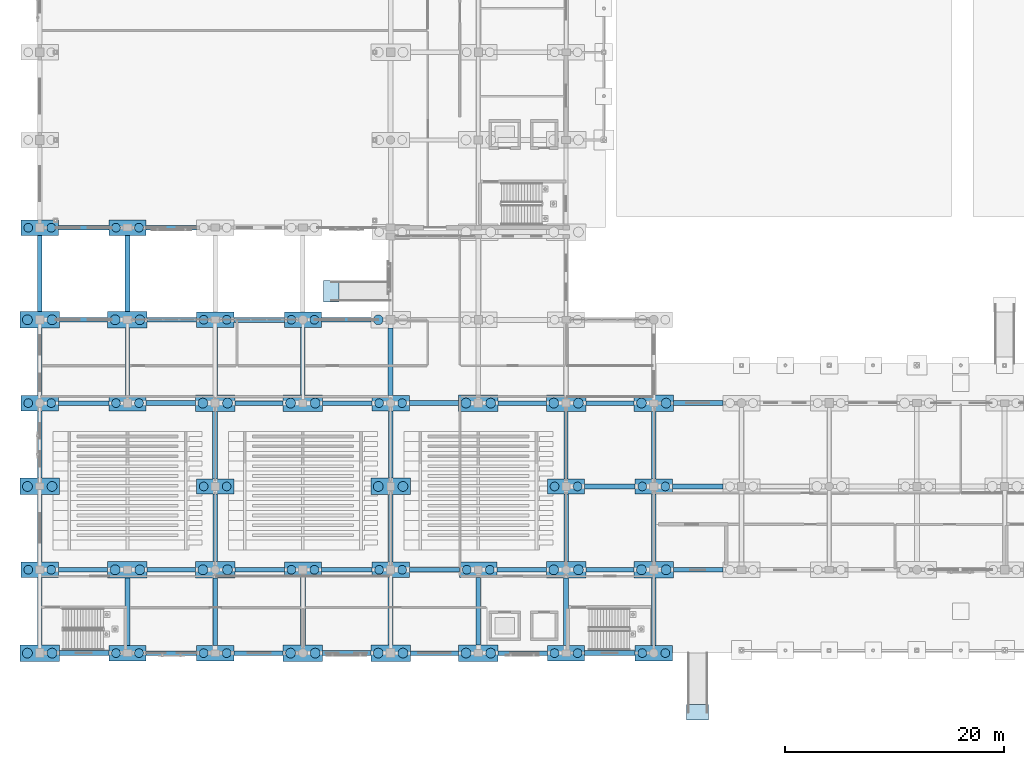
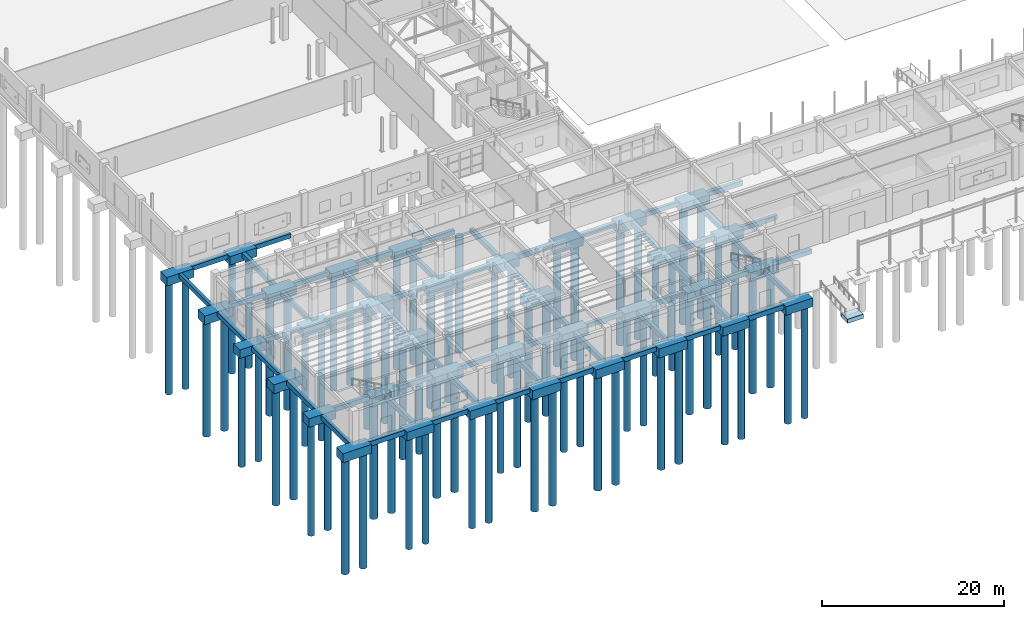
# One storey, part 1 of 166: 93 footings, 71 piles.
"""IFC4 building model written with IfcOpenShell, lengths in metres."""

from ifc_helpers import new_model, si_unit, direction, frame, origin, origin_2d, place, context, subcontext, project, spatial, rectangle, circle, extrude, material, material_profile, profile_set, type_object, element, save


model = new_model("IFC4")

# Units and contexts
model_context = context("Model", 3, precision=1e-05, world=origin(), true_north=direction((0.0, 1.0)))
body_context = subcontext(model_context, "Body", "Model", "MODEL_VIEW")
ifc_project = project(units=[si_unit("LENGTHUNIT", "METRE"), si_unit("AREAUNIT", "SQUARE_METRE"), si_unit("VOLUMEUNIT", "CUBIC_METRE"), si_unit("PLANEANGLEUNIT", "RADIAN"), si_unit("MASSUNIT", "GRAM", prefix="KILO")], contexts=[model_context])

# Site, building, storey
site_placement = place(None, origin())
site = spatial("IfcSite", under=ifc_project, at=site_placement, CompositionType="ELEMENT")
building_placement = place(site_placement, origin())
building = spatial("IfcBuilding", under=site, at=building_placement, Name="Kharva Crest Polytechnic", CompositionType="ELEMENT")
storey_placement = place(building_placement, origin())
storey = spatial("IfcBuildingStorey", under=building, at=storey_placement, Name="L00", CompositionType="ELEMENT", Elevation=0.0)

# Footings
ifc_material = material(Name="Concrete C35/45", Category="concrete")
footing_type_1 = type_object("IfcFootingType", Name="FTG-GB-400X600", PredefinedType="FOOTING_BEAM", material=ifc_material)
for number, where, z_axis, x_axis, name in (
    (1, (19.949951171875, 0.0, -1.005126953125), (0.0, 0.0, 1.0), (1.0, 0.0, 0.0), "L00 Ground Tie Beam A/3-4"),
    (2, (44.050048828125, 0.0, -1.005126953125), (0.0, 0.0, 1.0), (1.0, 0.0, 0.0), "L00 Ground Tie Beam A/6-7"),
):
    element("IfcFooting", number, at=place(storey_placement, frame(where, z_axis=z_axis, x_axis=x_axis)), inside=storey, type_object=footing_type_1, Name=name, PredefinedType="FOOTING_BEAM", context=body_context, shape_type="SweptSolid", body=[
        extrude(rectangle(XDim=4.5, YDim=0.39990234375, at=origin_2d()), origin(), (0.0, 0.0, 1.0), 0.60009765625),
    ])
footing_1_placement = place(storey_placement, frame((12.0, 7.60009765625, -1.005126953125), z_axis=(0.0, 0.0, 1.0), x_axis=(1.0, 0.0, 0.0)))
element("IfcFooting", 3, at=footing_1_placement, inside=storey, type_object=footing_type_1, Name="L00 Ground Tie Beam B/2-3", PredefinedType="FOOTING_BEAM", context=body_context, shape_type="SweptSolid", body=[
    extrude(rectangle(XDim=4.39990234375, YDim=0.39990234375, at=origin_2d()), origin(), (0.0, 0.0, 1.0), 0.60009765625),
])
footing_2_placement = place(storey_placement, frame((36.0, 7.60009765625, -1.005126953125), z_axis=(0.0, 0.0, 1.0), x_axis=(1.0, 0.0, 0.0)))
element("IfcFooting", 4, at=footing_2_placement, inside=storey, type_object=footing_type_1, Name="L00 Ground Tie Beam B/5-6", PredefinedType="FOOTING_BEAM", context=body_context, shape_type="SweptSolid", body=[
    extrude(rectangle(XDim=4.60009765625, YDim=0.39990234375, at=origin_2d()), origin(), (0.0, 0.0, 1.0), 0.60009765625),
])
footing_3_placement = place(storey_placement, frame((60.050048828125, 7.60009765625, -1.005126953125), z_axis=(0.0, 0.0, 1.0), x_axis=(1.0, 0.0, 0.0)))
element("IfcFooting", 5, at=footing_3_placement, inside=storey, type_object=footing_type_1, Name="L00 Ground Tie Beam B/8-9", PredefinedType="FOOTING_BEAM", context=body_context, shape_type="SweptSolid", body=[
    extrude(rectangle(XDim=4.5, YDim=0.39990234375, at=origin_2d()), origin(), (0.0, 0.0, 1.0), 0.60009765625),
])
footing_4_placement = place(storey_placement, frame((4.0, 22.800048828125, -1.005126953125), z_axis=(0.0, 0.0, 1.0), x_axis=(1.0, 0.0, 0.0)))
element("IfcFooting", 6, at=footing_4_placement, inside=storey, type_object=footing_type_1, Name="L00 Ground Tie Beam D/1-2", PredefinedType="FOOTING_BEAM", context=body_context, shape_type="SweptSolid", body=[
    extrude(rectangle(XDim=4.60009765625, YDim=0.39990234375, at=origin_2d()), origin(), (0.0, 0.0, 1.0), 0.60009765625),
])
footing_5_placement = place(storey_placement, frame((28.050048828125, 22.800048828125, -1.005126953125), z_axis=(0.0, 0.0, 1.0), x_axis=(1.0, 0.0, 0.0)))
element("IfcFooting", 7, at=footing_5_placement, inside=storey, type_object=footing_type_1, Name="L00 Ground Tie Beam D/4-5", PredefinedType="FOOTING_BEAM", context=body_context, shape_type="SweptSolid", body=[
    extrude(rectangle(XDim=4.5, YDim=0.39990234375, at=origin_2d()), origin(), (0.0, 0.0, 1.0), 0.60009765625),
])
footing_6_placement = place(storey_placement, frame((52.0, 22.800048828125, -1.005126953125), z_axis=(0.0, 0.0, 1.0), x_axis=(1.0, 0.0, 0.0)))
element("IfcFooting", 8, at=footing_6_placement, inside=storey, type_object=footing_type_1, Name="L00 Ground Tie Beam D/7-8", PredefinedType="FOOTING_BEAM", context=body_context, shape_type="SweptSolid", body=[
    extrude(rectangle(XDim=4.39990234375, YDim=0.39990234375, at=origin_2d()), origin(), (0.0, 0.0, 1.0), 0.60009765625),
])
footing_7_placement = place(storey_placement, frame((12.050048828125, 30.39990234375, -1.005126953125), z_axis=(0.0, 0.0, 1.0), x_axis=(1.0, 0.0, 0.0)))
element("IfcFooting", 9, at=footing_7_placement, inside=storey, type_object=footing_type_1, Name="L00 Ground Tie Beam E/2-3", PredefinedType="FOOTING_BEAM", context=body_context, shape_type="SweptSolid", body=[
    extrude(rectangle(XDim=4.5, YDim=0.39990234375, at=origin_2d()), origin(), (0.0, 0.0, 1.0), 0.60009765625),
])
footing_8_placement = place(storey_placement, frame((12.0, 38.800048828125, -1.005126953125), z_axis=(0.0, 0.0, 1.0), x_axis=(1.0, 0.0, 0.0)))
element("IfcFooting", 10, at=footing_8_placement, inside=storey, type_object=footing_type_1, Name="L00 Ground Tie Beam FJ/2-3", PredefinedType="FOOTING_BEAM", context=body_context, shape_type="SweptSolid", body=[
    extrude(rectangle(XDim=4.60009765625, YDim=0.39990234375, at=origin_2d()), origin(), (0.0, 0.0, 1.0), 0.60009765625),
])
footing_9_placement = place(storey_placement, frame((0.0, 11.375, -1.005126953125), z_axis=(0.0, 0.0, 1.0), x_axis=(0.0, 1.0, 0.0)))
element("IfcFooting", 11, at=footing_9_placement, inside=storey, type_object=footing_type_1, Name="L00 Ground Tie Beam 1/B-C", PredefinedType="FOOTING_BEAM", context=body_context, shape_type="SweptSolid", body=[
    extrude(rectangle(XDim=6.14990234375, YDim=0.39990234375, at=origin_2d()), origin(), (0.0, 0.0, 1.0), 0.60009765625),
])
footing_10_placement = place(storey_placement, frame((0.0, 34.625, -1.005126953125), z_axis=(0.0, 0.0, 1.0), x_axis=(0.0, 1.0, 0.0)))
element("IfcFooting", 12, at=footing_10_placement, inside=storey, type_object=footing_type_1, Name="L00 Ground Tie Beam 1/E-FJ", PredefinedType="FOOTING_BEAM", context=body_context, shape_type="SweptSolid", body=[
    extrude(rectangle(XDim=6.949951171875, YDim=0.39990234375, at=origin_2d()), origin(), (0.0, 0.0, 1.0), 0.60009765625),
])
for number, where, z_axis, x_axis, name in (
    (13, (8.0, 26.574951171875, -1.005126953125), (0.0, 0.0, 1.0), (0.0, 1.0, 0.0), "L00 Ground Tie Beam 2/D-E"),
    (14, (16.0, 11.425048828125, -1.005126953125), (0.0, 0.0, 1.0), (0.0, 1.0, 0.0), "L00 Ground Tie Beam 3/B-C"),
    (15, (32.0, 19.02490234375, -1.005126953125), (0.0, 0.0, 1.0), (0.0, 1.0, 0.0), "L00 Ground Tie Beam 5/C-D"),
    (16, (48.0, 18.97509765625, -1.005126953125), (0.0, 0.0, 1.0), (0.0, 1.0, 0.0), "L00 Ground Tie Beam 7/C-D"),
    (17, (56.0, 11.425048828125, -1.005126953125), (0.0, 0.0, 1.0), (0.0, 1.0, 0.0), "L00 Ground Tie Beam 8/B-C"),
):
    element("IfcFooting", number, at=place(storey_placement, frame(where, z_axis=z_axis, x_axis=x_axis)), inside=storey, type_object=footing_type_1, Name=name, PredefinedType="FOOTING_BEAM", context=body_context, shape_type="SweptSolid", body=[
        extrude(rectangle(XDim=6.14990234375, YDim=0.39990234375, at=origin_2d()), origin(), (0.0, 0.0, 1.0), 0.60009765625),
    ])
footing_type_2 = type_object("IfcFootingType", Name="FTG-GB-420X620", PredefinedType="FOOTING_BEAM", material=ifc_material)
footing_11_placement = place(storey_placement, frame((12.0, 0.0, -1.025146484375), z_axis=(0.0, 0.0, 1.0), x_axis=(1.0, 0.0, 0.0)))
element("IfcFooting", 18, at=footing_11_placement, inside=storey, type_object=footing_type_2, Name="L00 Ground Tie Beam A/2-3", PredefinedType="FOOTING_BEAM", context=body_context, shape_type="SweptSolid", body=[
    extrude(rectangle(XDim=4.60009765625, YDim=0.419921875, at=origin_2d()), origin(), (0.0, 0.0, 1.0), 0.6201171875),
])
footing_12_placement = place(storey_placement, frame((36.0, 0.0, -1.025146484375), z_axis=(0.0, 0.0, 1.0), x_axis=(1.0, 0.0, 0.0)))
element("IfcFooting", 19, at=footing_12_placement, inside=storey, type_object=footing_type_2, Name="L00 Ground Tie Beam A/5-6", PredefinedType="FOOTING_BEAM", context=body_context, shape_type="SweptSolid", body=[
    extrude(rectangle(XDim=4.39990234375, YDim=0.419921875, at=origin_2d()), origin(), (0.0, 0.0, 1.0), 0.6201171875),
])
footing_13_placement = place(storey_placement, frame((3.949951171875, 7.60009765625, -1.025146484375), z_axis=(0.0, 0.0, 1.0), x_axis=(1.0, 0.0, 0.0)))
element("IfcFooting", 20, at=footing_13_placement, inside=storey, type_object=footing_type_2, Name="L00 Ground Tie Beam B/1-2", PredefinedType="FOOTING_BEAM", context=body_context, shape_type="SweptSolid", body=[
    extrude(rectangle(XDim=4.5, YDim=0.419921875, at=origin_2d()), origin(), (0.0, 0.0, 1.0), 0.6201171875),
])
footing_14_placement = place(storey_placement, frame((28.0, 7.60009765625, -1.025146484375), z_axis=(0.0, 0.0, 1.0), x_axis=(1.0, 0.0, 0.0)))
element("IfcFooting", 21, at=footing_14_placement, inside=storey, type_object=footing_type_2, Name="L00 Ground Tie Beam B/4-5", PredefinedType="FOOTING_BEAM", context=body_context, shape_type="SweptSolid", body=[
    extrude(rectangle(XDim=4.60009765625, YDim=0.419921875, at=origin_2d()), origin(), (0.0, 0.0, 1.0), 0.6201171875),
])
footing_15_placement = place(storey_placement, frame((52.0, 7.60009765625, -1.025146484375), z_axis=(0.0, 0.0, 1.0), x_axis=(1.0, 0.0, 0.0)))
element("IfcFooting", 22, at=footing_15_placement, inside=storey, type_object=footing_type_2, Name="L00 Ground Tie Beam B/7-8", PredefinedType="FOOTING_BEAM", context=body_context, shape_type="SweptSolid", body=[
    extrude(rectangle(XDim=4.39990234375, YDim=0.419921875, at=origin_2d()), origin(), (0.0, 0.0, 1.0), 0.6201171875),
])
footing_16_placement = place(storey_placement, frame((60.0, 15.199951171875, -1.025146484375), z_axis=(0.0, 0.0, 1.0), x_axis=(1.0, 0.0, 0.0)))
element("IfcFooting", 23, at=footing_16_placement, inside=storey, type_object=footing_type_2, Name="L00 Ground Tie Beam C/8-9", PredefinedType="FOOTING_BEAM", context=body_context, shape_type="SweptSolid", body=[
    extrude(rectangle(XDim=4.60009765625, YDim=0.419921875, at=origin_2d()), origin(), (0.0, 0.0, 1.0), 0.6201171875),
])
for number, where, z_axis, x_axis, name in (
    (24, (20.0, 22.800048828125, -1.025146484375), (0.0, 0.0, 1.0), (1.0, 0.0, 0.0), "L00 Ground Tie Beam D/3-4"),
    (25, (44.0, 22.800048828125, -1.025146484375), (0.0, 0.0, 1.0), (1.0, 0.0, 0.0), "L00 Ground Tie Beam D/6-7"),
    (26, (4.0, 30.39990234375, -1.025146484375), (0.0, 0.0, 1.0), (1.0, 0.0, 0.0), "L00 Ground Tie Beam E/1-2"),
):
    element("IfcFooting", number, at=place(storey_placement, frame(where, z_axis=z_axis, x_axis=x_axis)), inside=storey, type_object=footing_type_2, Name=name, PredefinedType="FOOTING_BEAM", context=body_context, shape_type="SweptSolid", body=[
        extrude(rectangle(XDim=4.39990234375, YDim=0.419921875, at=origin_2d()), origin(), (0.0, 0.0, 1.0), 0.6201171875),
    ])
footing_17_placement = place(storey_placement, frame((27.949951171875, 30.39990234375, -1.025146484375), z_axis=(0.0, 0.0, 1.0), x_axis=(1.0, 0.0, 0.0)))
element("IfcFooting", 27, at=footing_17_placement, inside=storey, type_object=footing_type_2, Name="L00 Ground Tie Beam E/4-5", PredefinedType="FOOTING_BEAM", context=body_context, shape_type="SweptSolid", body=[
    extrude(rectangle(XDim=4.5, YDim=0.419921875, at=origin_2d()), origin(), (0.0, 0.0, 1.0), 0.6201171875),
])
footing_18_placement = place(storey_placement, frame((4.0, 38.800048828125, -1.025146484375), z_axis=(0.0, 0.0, 1.0), x_axis=(1.0, 0.0, 0.0)))
element("IfcFooting", 28, at=footing_18_placement, inside=storey, type_object=footing_type_2, Name="L00 Ground Tie Beam FJ/1-2", PredefinedType="FOOTING_BEAM", context=body_context, shape_type="SweptSolid", body=[
    extrude(rectangle(XDim=4.60009765625, YDim=0.419921875, at=origin_2d()), origin(), (0.0, 0.0, 1.0), 0.6201171875),
])
for number, where, z_axis, x_axis, name in (
    (29, (0.0, 3.824951171875, -1.025146484375), (0.0, 0.0, 1.0), (0.0, 1.0, 0.0), "L00 Ground Tie Beam 1/A-B"),
    (30, (0.0, 26.574951171875, -1.025146484375), (0.0, 0.0, 1.0), (0.0, 1.0, 0.0), "L00 Ground Tie Beam 1/D-E"),
    (31, (8.0, 3.77490234375, -1.025146484375), (0.0, 0.0, 1.0), (0.0, 1.0, 0.0), "L00 Ground Tie Beam 2/A-B"),
    (32, (16.0, 3.77490234375, -1.025146484375), (0.0, 0.0, 1.0), (0.0, 1.0, 0.0), "L00 Ground Tie Beam 3/A-B"),
    (33, (16.0, 26.625, -1.025146484375), (0.0, 0.0, 1.0), (0.0, 1.0, 0.0), "L00 Ground Tie Beam 3/D-E"),
    (34, (24.0, 26.625, -1.025146484375), (0.0, 0.0, 1.0), (0.0, 1.0, 0.0), "L00 Ground Tie Beam 4/D-E"),
    (35, (32.0, 11.375, -1.025146484375), (0.0, 0.0, 1.0), (0.0, 1.0, 0.0), "L00 Ground Tie Beam 5/B-C"),
    (36, (40.0, 3.824951171875, -1.025146484375), (0.0, 0.0, 1.0), (0.0, 1.0, 0.0), "L00 Ground Tie Beam 6/A-B"),
    (37, (48.0, 11.425048828125, -1.025146484375), (0.0, 0.0, 1.0), (0.0, 1.0, 0.0), "L00 Ground Tie Beam 7/B-C"),
    (38, (56.0, 3.77490234375, -1.025146484375), (0.0, 0.0, 1.0), (0.0, 1.0, 0.0), "L00 Ground Tie Beam 8/A-B"),
):
    element("IfcFooting", number, at=place(storey_placement, frame(where, z_axis=z_axis, x_axis=x_axis)), inside=storey, type_object=footing_type_2, Name=name, PredefinedType="FOOTING_BEAM", context=body_context, shape_type="SweptSolid", body=[
        extrude(rectangle(XDim=6.14990234375, YDim=0.419921875, at=origin_2d()), origin(), (0.0, 0.0, 1.0), 0.6201171875),
    ])
footing_type_3 = type_object("IfcFootingType", Name="FTG-GB-450X650", PredefinedType="FOOTING_BEAM", material=ifc_material)
footing_19_placement = place(storey_placement, frame((4.050048828125, 0.0, -1.054931640625), z_axis=(0.0, 0.0, 1.0), x_axis=(1.0, 0.0, 0.0)))
element("IfcFooting", 39, at=footing_19_placement, inside=storey, type_object=footing_type_3, Name="L00 Ground Tie Beam A/1-2", PredefinedType="FOOTING_BEAM", context=body_context, shape_type="SweptSolid", body=[
    extrude(rectangle(XDim=4.5, YDim=0.449951171875, at=origin_2d()), origin(), (0.0, 0.0, 1.0), 0.64990234375),
])
footing_20_placement = place(storey_placement, frame((28.0, 0.0, -1.054931640625), z_axis=(0.0, 0.0, 1.0), x_axis=(1.0, 0.0, 0.0)))
element("IfcFooting", 40, at=footing_20_placement, inside=storey, type_object=footing_type_3, Name="L00 Ground Tie Beam A/4-5", PredefinedType="FOOTING_BEAM", context=body_context, shape_type="SweptSolid", body=[
    extrude(rectangle(XDim=4.39990234375, YDim=0.449951171875, at=origin_2d()), origin(), (0.0, 0.0, 1.0), 0.64990234375),
])
footing_21_placement = place(storey_placement, frame((52.0, 0.0, -1.054931640625), z_axis=(0.0, 0.0, 1.0), x_axis=(1.0, 0.0, 0.0)))
element("IfcFooting", 41, at=footing_21_placement, inside=storey, type_object=footing_type_3, Name="L00 Ground Tie Beam A/7-8", PredefinedType="FOOTING_BEAM", context=body_context, shape_type="SweptSolid", body=[
    extrude(rectangle(XDim=4.60009765625, YDim=0.449951171875, at=origin_2d()), origin(), (0.0, 0.0, 1.0), 0.64990234375),
])
for number, where, z_axis, x_axis, name in (
    (42, (20.050048828125, 7.60009765625, -1.054931640625), (0.0, 0.0, 1.0), (1.0, 0.0, 0.0), "L00 Ground Tie Beam B/3-4"),
    (43, (43.949951171875, 7.60009765625, -1.054931640625), (0.0, 0.0, 1.0), (1.0, 0.0, 0.0), "L00 Ground Tie Beam B/6-7"),
):
    element("IfcFooting", number, at=place(storey_placement, frame(where, z_axis=z_axis, x_axis=x_axis)), inside=storey, type_object=footing_type_3, Name=name, PredefinedType="FOOTING_BEAM", context=body_context, shape_type="SweptSolid", body=[
        extrude(rectangle(XDim=4.5, YDim=0.449951171875, at=origin_2d()), origin(), (0.0, 0.0, 1.0), 0.64990234375),
    ])
footing_22_placement = place(storey_placement, frame((52.0, 15.199951171875, -1.054931640625), z_axis=(0.0, 0.0, 1.0), x_axis=(1.0, 0.0, 0.0)))
element("IfcFooting", 44, at=footing_22_placement, inside=storey, type_object=footing_type_3, Name="L00 Ground Tie Beam C/7-8", PredefinedType="FOOTING_BEAM", context=body_context, shape_type="SweptSolid", body=[
    extrude(rectangle(XDim=4.60009765625, YDim=0.449951171875, at=origin_2d()), origin(), (0.0, 0.0, 1.0), 0.64990234375),
])
for number, where, z_axis, x_axis, name in (
    (45, (11.949951171875, 22.800048828125, -1.054931640625), (0.0, 0.0, 1.0), (1.0, 0.0, 0.0), "L00 Ground Tie Beam D/2-3"),
    (46, (35.949951171875, 22.800048828125, -1.054931640625), (0.0, 0.0, 1.0), (1.0, 0.0, 0.0), "L00 Ground Tie Beam D/5-6"),
    (47, (60.050048828125, 22.800048828125, -1.054931640625), (0.0, 0.0, 1.0), (1.0, 0.0, 0.0), "L00 Ground Tie Beam D/8-9"),
):
    element("IfcFooting", number, at=place(storey_placement, frame(where, z_axis=z_axis, x_axis=x_axis)), inside=storey, type_object=footing_type_3, Name=name, PredefinedType="FOOTING_BEAM", context=body_context, shape_type="SweptSolid", body=[
        extrude(rectangle(XDim=4.5, YDim=0.449951171875, at=origin_2d()), origin(), (0.0, 0.0, 1.0), 0.64990234375),
    ])
footing_23_placement = place(storey_placement, frame((20.0, 30.39990234375, -1.054931640625), z_axis=(0.0, 0.0, 1.0), x_axis=(1.0, 0.0, 0.0)))
element("IfcFooting", 48, at=footing_23_placement, inside=storey, type_object=footing_type_3, Name="L00 Ground Tie Beam E/3-4", PredefinedType="FOOTING_BEAM", context=body_context, shape_type="SweptSolid", body=[
    extrude(rectangle(XDim=4.60009765625, YDim=0.449951171875, at=origin_2d()), origin(), (0.0, 0.0, 1.0), 0.64990234375),
])
footing_24_placement = place(storey_placement, frame((0.0, 19.02490234375, -1.054931640625), z_axis=(0.0, 0.0, 1.0), x_axis=(0.0, 1.0, 0.0)))
element("IfcFooting", 49, at=footing_24_placement, inside=storey, type_object=footing_type_3, Name="L00 Ground Tie Beam 1/C-D", PredefinedType="FOOTING_BEAM", context=body_context, shape_type="SweptSolid", body=[
    extrude(rectangle(XDim=6.14990234375, YDim=0.449951171875, at=origin_2d()), origin(), (0.0, 0.0, 1.0), 0.64990234375),
])
footing_25_placement = place(storey_placement, frame((8.0, 34.625, -1.054931640625), z_axis=(0.0, 0.0, 1.0), x_axis=(0.0, 1.0, 0.0)))
element("IfcFooting", 50, at=footing_25_placement, inside=storey, type_object=footing_type_3, Name="L00 Ground Tie Beam 2/E-FJ", PredefinedType="FOOTING_BEAM", context=body_context, shape_type="SweptSolid", body=[
    extrude(rectangle(XDim=6.949951171875, YDim=0.449951171875, at=origin_2d()), origin(), (0.0, 0.0, 1.0), 0.64990234375),
])
for number, where, z_axis, x_axis, name in (
    (51, (16.0, 18.97509765625, -1.054931640625), (0.0, 0.0, 1.0), (0.0, 1.0, 0.0), "L00 Ground Tie Beam 3/C-D"),
    (52, (24.0, 3.824951171875, -1.054931640625), (0.0, 0.0, 1.0), (0.0, 1.0, 0.0), "L00 Ground Tie Beam 4/A-B"),
    (53, (32.0, 3.824951171875, -1.054931640625), (0.0, 0.0, 1.0), (0.0, 1.0, 0.0), "L00 Ground Tie Beam 5/A-B"),
    (54, (32.0, 26.574951171875, -1.054931640625), (0.0, 0.0, 1.0), (0.0, 1.0, 0.0), "L00 Ground Tie Beam 5/D-E"),
    (55, (48.0, 3.77490234375, -1.054931640625), (0.0, 0.0, 1.0), (0.0, 1.0, 0.0), "L00 Ground Tie Beam 7/A-B"),
    (56, (56.0, 18.97509765625, -1.054931640625), (0.0, 0.0, 1.0), (0.0, 1.0, 0.0), "L00 Ground Tie Beam 8/C-D"),
):
    element("IfcFooting", number, at=place(storey_placement, frame(where, z_axis=z_axis, x_axis=x_axis)), inside=storey, type_object=footing_type_3, Name=name, PredefinedType="FOOTING_BEAM", context=body_context, shape_type="SweptSolid", body=[
        extrude(rectangle(XDim=6.14990234375, YDim=0.449951171875, at=origin_2d()), origin(), (0.0, 0.0, 1.0), 0.64990234375),
    ])
footing_type_4 = type_object("IfcFootingType", Name="FTG-PAD-2000X1400", PredefinedType="PAD_FOOTING", material=ifc_material)
for number, where, z_axis, x_axis, name in (
    (57, (60.0, -5.39990234375, -1.0), (0.0, 0.0, 1.0), (1.0, 0.0, 0.0), "L00 Ramp Toe Pad Footing RMP-S-W"),
    (58, (26.60009765625, 33.0, -1.0), (0.0, 0.0, 1.0), (0.0, 1.0, 0.0), "L00 Ramp Toe Pad Footing RMP-W-F"),
):
    element("IfcFooting", number, at=place(storey_placement, frame(where, z_axis=z_axis, x_axis=x_axis)), inside=storey, type_object=footing_type_4, Name=name, PredefinedType="PAD_FOOTING", context=body_context, shape_type="SweptSolid", body=[
        extrude(rectangle(XDim=2.0, YDim=1.39990234375, at=origin_2d()), origin(), (0.0, 0.0, 1.0), 0.550048828125),
    ])
footing_type_5 = type_object("IfcFootingType", Name="FTG-PC-3400X1400", PredefinedType="PILE_CAP", material=ifc_material)
for number, where, z_axis, x_axis, name in (
    (59, (0.0, 7.60009765625, -1.554931640625), (0.0, 0.0, 1.0), (1.0, 0.0, 0.0), "L00 Pile Cap 1/B"),
    (60, (0.0, 22.800048828125, -1.554931640625), (0.0, 0.0, 1.0), (1.0, 0.0, 0.0), "L00 Pile Cap 1/D"),
    (61, (0.0, 38.800048828125, -1.554931640625), (0.0, 0.0, 1.0), (1.0, 0.0, 0.0), "L00 Pile Cap 1/FJ"),
    (62, (8.0, 0.0, -1.554931640625), (0.0, 0.0, 1.0), (1.0, 0.0, 0.0), "L00 Pile Cap 2/A"),
    (63, (8.0, 22.800048828125, -1.554931640625), (0.0, 0.0, 1.0), (1.0, 0.0, 0.0), "L00 Pile Cap 2/D"),
    (64, (8.0, 38.800048828125, -1.554931640625), (0.0, 0.0, 1.0), (1.0, 0.0, 0.0), "L00 Pile Cap 2/FJ"),
    (65, (16.0, 0.0, -1.554931640625), (0.0, 0.0, 1.0), (1.0, 0.0, 0.0), "L00 Pile Cap 3/A"),
    (66, (16.0, 15.199951171875, -1.554931640625), (0.0, 0.0, 1.0), (1.0, 0.0, 0.0), "L00 Pile Cap 3/C"),
    (67, (16.0, 30.39990234375, -1.554931640625), (0.0, 0.0, 1.0), (1.0, 0.0, 0.0), "L00 Pile Cap 3/E"),
    (68, (24.0, 7.60009765625, -1.554931640625), (0.0, 0.0, 1.0), (1.0, 0.0, 0.0), "L00 Pile Cap 4/B"),
    (69, (24.0, 30.39990234375, -1.554931640625), (0.0, 0.0, 1.0), (1.0, 0.0, 0.0), "L00 Pile Cap 4/E"),
    (70, (32.0, 7.60009765625, -1.554931640625), (0.0, 0.0, 1.0), (1.0, 0.0, 0.0), "L00 Pile Cap 5/B"),
    (71, (32.0, 22.800048828125, -1.554931640625), (0.0, 0.0, 1.0), (1.0, 0.0, 0.0), "L00 Pile Cap 5/D"),
    (72, (40.0, 7.60009765625, -1.554931640625), (0.0, 0.0, 1.0), (1.0, 0.0, 0.0), "L00 Pile Cap 6/B"),
    (73, (48.0, 0.0, -1.554931640625), (0.0, 0.0, 1.0), (1.0, 0.0, 0.0), "L00 Pile Cap 7/A"),
    (74, (48.0, 15.199951171875, -1.554931640625), (0.0, 0.0, 1.0), (1.0, 0.0, 0.0), "L00 Pile Cap 7/C"),
    (75, (56.0, 0.0, -1.554931640625), (0.0, 0.0, 1.0), (1.0, 0.0, 0.0), "L00 Pile Cap 8/A"),
    (76, (56.0, 15.199951171875, -1.554931640625), (0.0, 0.0, 1.0), (1.0, 0.0, 0.0), "L00 Pile Cap 8/C"),
):
    element("IfcFooting", number, at=place(storey_placement, frame(where, z_axis=z_axis, x_axis=x_axis)), inside=storey, type_object=footing_type_5, Name=name, PredefinedType="PILE_CAP", context=body_context, shape_type="SweptSolid", body=[
        extrude(rectangle(XDim=3.39990234375, YDim=1.39990234375, at=origin_2d()), origin(), (0.0, 0.0, 1.0), 1.14990234375),
    ])
footing_type_6 = type_object("IfcFootingType", Name="FTG-PC-3600X1500", PredefinedType="PILE_CAP", material=ifc_material)
for number, where, z_axis, x_axis, name in (
    (77, (0.0, 0.0, -1.60498046875), (0.0, 0.0, 1.0), (1.0, 0.0, 0.0), "L00 Pile Cap 1/A"),
    (78, (0.0, 15.199951171875, -1.60498046875), (0.0, 0.0, 1.0), (1.0, 0.0, 0.0), "L00 Pile Cap 1/C"),
    (79, (0.0, 30.39990234375, -1.60498046875), (0.0, 0.0, 1.0), (1.0, 0.0, 0.0), "L00 Pile Cap 1/E"),
    (80, (8.0, 7.60009765625, -1.60498046875), (0.0, 0.0, 1.0), (1.0, 0.0, 0.0), "L00 Pile Cap 2/B"),
    (81, (8.0, 30.39990234375, -1.60498046875), (0.0, 0.0, 1.0), (1.0, 0.0, 0.0), "L00 Pile Cap 2/E"),
    (82, (16.0, 7.60009765625, -1.60498046875), (0.0, 0.0, 1.0), (1.0, 0.0, 0.0), "L00 Pile Cap 3/B"),
    (83, (16.0, 22.800048828125, -1.60498046875), (0.0, 0.0, 1.0), (1.0, 0.0, 0.0), "L00 Pile Cap 3/D"),
    (84, (24.0, 0.0, -1.60498046875), (0.0, 0.0, 1.0), (1.0, 0.0, 0.0), "L00 Pile Cap 4/A"),
    (85, (24.0, 22.800048828125, -1.60498046875), (0.0, 0.0, 1.0), (1.0, 0.0, 0.0), "L00 Pile Cap 4/D"),
    (86, (32.0, 0.0, -1.60498046875), (0.0, 0.0, 1.0), (1.0, 0.0, 0.0), "L00 Pile Cap 5/A"),
    (87, (32.0, 15.199951171875, -1.60498046875), (0.0, 0.0, 1.0), (1.0, 0.0, 0.0), "L00 Pile Cap 5/C"),
    (88, (40.0, 0.0, -1.60498046875), (0.0, 0.0, 1.0), (1.0, 0.0, 0.0), "L00 Pile Cap 6/A"),
    (89, (40.0, 22.800048828125, -1.60498046875), (0.0, 0.0, 1.0), (1.0, 0.0, 0.0), "L00 Pile Cap 6/D"),
    (90, (48.0, 7.60009765625, -1.60498046875), (0.0, 0.0, 1.0), (1.0, 0.0, 0.0), "L00 Pile Cap 7/B"),
    (91, (48.0, 22.800048828125, -1.60498046875), (0.0, 0.0, 1.0), (1.0, 0.0, 0.0), "L00 Pile Cap 7/D"),
    (92, (56.0, 7.60009765625, -1.60498046875), (0.0, 0.0, 1.0), (1.0, 0.0, 0.0), "L00 Pile Cap 8/B"),
    (93, (56.0, 22.800048828125, -1.60498046875), (0.0, 0.0, 1.0), (1.0, 0.0, 0.0), "L00 Pile Cap 8/D"),
):
    element("IfcFooting", number, at=place(storey_placement, frame(where, z_axis=z_axis, x_axis=x_axis)), inside=storey, type_object=footing_type_6, Name=name, PredefinedType="PILE_CAP", context=body_context, shape_type="SweptSolid", body=[
        extrude(rectangle(XDim=3.60009765625, YDim=1.5, at=origin_2d()), origin(), (0.0, 0.0, 1.0), 1.199951171875),
    ])

# Piles
ifc_material_profile_1 = material_profile(ifc_material, circle(Radius=0.39990234375, at=origin_2d()), Name="DIA 800")
ifc_profile_set_1 = profile_set([ifc_material_profile_1], Name="Concrete C35/45")
pile_type_1 = type_object("IfcPileType", Name="PILE-BORED-800", PredefinedType="BORED", material=ifc_profile_set_1)
for number, where, z_axis, x_axis, name in (
    (94, (-1.050048828125, 7.60009765625, -1.455078125), (0.0, 0.0, -1.0), (1.0, 0.0, 0.0), "L00 Bored Pile 1/B-1"),
    (95, (1.050048828125, 7.60009765625, -1.455078125), (0.0, 0.0, -1.0), (1.0, 0.0, 0.0), "L00 Bored Pile 1/B-2"),
    (96, (-1.050048828125, 22.800048828125, -1.455078125), (0.0, 0.0, -1.0), (1.0, 0.0, 0.0), "L00 Bored Pile 1/D-1"),
    (97, (1.050048828125, 22.800048828125, -1.455078125), (0.0, 0.0, -1.0), (1.0, 0.0, 0.0), "L00 Bored Pile 1/D-2"),
    (98, (-1.050048828125, 38.800048828125, -1.455078125), (0.0, 0.0, -1.0), (1.0, 0.0, 0.0), "L00 Bored Pile 1/FJ-1"),
    (99, (1.050048828125, 38.800048828125, -1.455078125), (0.0, 0.0, -1.0), (1.0, 0.0, 0.0), "L00 Bored Pile 1/FJ-2"),
    (100, (6.949951171875, 0.0, -1.455078125), (0.0, 0.0, -1.0), (1.0, 0.0, 0.0), "L00 Bored Pile 2/A-1"),
    (101, (9.050048828125, 0.0, -1.455078125), (0.0, 0.0, -1.0), (1.0, 0.0, 0.0), "L00 Bored Pile 2/A-2"),
    (102, (6.949951171875, 22.800048828125, -1.455078125), (0.0, 0.0, -1.0), (1.0, 0.0, 0.0), "L00 Bored Pile 2/D-1"),
    (103, (9.050048828125, 22.800048828125, -1.455078125), (0.0, 0.0, -1.0), (1.0, 0.0, 0.0), "L00 Bored Pile 2/D-2"),
    (104, (6.949951171875, 38.800048828125, -1.455078125), (0.0, 0.0, -1.0), (1.0, 0.0, 0.0), "L00 Bored Pile 2/FJ-1"),
    (105, (9.050048828125, 38.800048828125, -1.455078125), (0.0, 0.0, -1.0), (1.0, 0.0, 0.0), "L00 Bored Pile 2/FJ-2"),
    (106, (14.949951171875, 0.0, -1.455078125), (0.0, 0.0, -1.0), (1.0, 0.0, 0.0), "L00 Bored Pile 3/A-1"),
    (107, (17.050048828125, 0.0, -1.455078125), (0.0, 0.0, -1.0), (1.0, 0.0, 0.0), "L00 Bored Pile 3/A-2"),
    (108, (14.949951171875, 15.199951171875, -1.455078125), (0.0, 0.0, -1.0), (1.0, 0.0, 0.0), "L00 Bored Pile 3/C-1"),
    (109, (17.050048828125, 15.199951171875, -1.455078125), (0.0, 0.0, -1.0), (1.0, 0.0, 0.0), "L00 Bored Pile 3/C-2"),
    (110, (14.949951171875, 30.39990234375, -1.455078125), (0.0, 0.0, -1.0), (1.0, 0.0, 0.0), "L00 Bored Pile 3/E-1"),
    (111, (17.050048828125, 30.39990234375, -1.455078125), (0.0, 0.0, -1.0), (1.0, 0.0, 0.0), "L00 Bored Pile 3/E-2"),
    (112, (22.949951171875, 7.60009765625, -1.455078125), (0.0, 0.0, -1.0), (1.0, 0.0, 0.0), "L00 Bored Pile 4/B-1"),
    (113, (25.050048828125, 7.60009765625, -1.455078125), (0.0, 0.0, -1.0), (1.0, 0.0, 0.0), "L00 Bored Pile 4/B-2"),
    (114, (22.949951171875, 30.39990234375, -1.455078125), (0.0, 0.0, -1.0), (1.0, 0.0, 0.0), "L00 Bored Pile 4/E-1"),
    (115, (25.050048828125, 30.39990234375, -1.455078125), (0.0, 0.0, -1.0), (1.0, 0.0, 0.0), "L00 Bored Pile 4/E-2"),
    (116, (30.949951171875, 7.60009765625, -1.455078125), (0.0, 0.0, -1.0), (1.0, 0.0, 0.0), "L00 Bored Pile 5/B-1"),
    (117, (33.050048828125, 7.60009765625, -1.455078125), (0.0, 0.0, -1.0), (1.0, 0.0, 0.0), "L00 Bored Pile 5/B-2"),
    (118, (30.949951171875, 22.800048828125, -1.455078125), (0.0, 0.0, -1.0), (1.0, 0.0, 0.0), "L00 Bored Pile 5/D-1"),
    (119, (33.050048828125, 22.800048828125, -1.455078125), (0.0, 0.0, -1.0), (1.0, 0.0, 0.0), "L00 Bored Pile 5/D-2"),
    (120, (38.949951171875, 7.60009765625, -1.455078125), (0.0, 0.0, -1.0), (1.0, 0.0, 0.0), "L00 Bored Pile 6/B-1"),
    (121, (41.050048828125, 7.60009765625, -1.455078125), (0.0, 0.0, -1.0), (1.0, 0.0, 0.0), "L00 Bored Pile 6/B-2"),
    (122, (46.949951171875, 0.0, -1.455078125), (0.0, 0.0, -1.0), (1.0, 0.0, 0.0), "L00 Bored Pile 7/A-1"),
    (123, (49.050048828125, 0.0, -1.455078125), (0.0, 0.0, -1.0), (1.0, 0.0, 0.0), "L00 Bored Pile 7/A-2"),
    (124, (46.949951171875, 15.199951171875, -1.455078125), (0.0, 0.0, -1.0), (1.0, 0.0, 0.0), "L00 Bored Pile 7/C-1"),
    (125, (49.050048828125, 15.199951171875, -1.455078125), (0.0, 0.0, -1.0), (1.0, 0.0, 0.0), "L00 Bored Pile 7/C-2"),
    (126, (54.949951171875, 0.0, -1.455078125), (0.0, 0.0, -1.0), (1.0, 0.0, 0.0), "L00 Bored Pile 8/A-1"),
    (127, (57.050048828125, 0.0, -1.455078125), (0.0, 0.0, -1.0), (1.0, 0.0, 0.0), "L00 Bored Pile 8/A-2"),
    (128, (54.949951171875, 15.199951171875, -1.455078125), (0.0, 0.0, -1.0), (1.0, 0.0, 0.0), "L00 Bored Pile 8/C-1"),
    (129, (57.050048828125, 15.199951171875, -1.455078125), (0.0, 0.0, -1.0), (1.0, 0.0, 0.0), "L00 Bored Pile 8/C-2"),
):
    element("IfcPile", number, at=place(storey_placement, frame(where, z_axis=z_axis, x_axis=x_axis)), inside=storey, type_object=pile_type_1, Name=name, PredefinedType="BORED", context=body_context, shape_type="SweptSolid", body=[
        extrude(circle(Radius=0.39990234375, at=origin_2d()), origin(), (0.0, 0.0, 1.0), 15.044921875),
    ])
ifc_material_profile_2 = material_profile(ifc_material, circle(Radius=0.449951171875, at=origin_2d()), Name="DIA 900")
ifc_profile_set_2 = profile_set([ifc_material_profile_2], Name="Concrete C35/45")
pile_type_2 = type_object("IfcPileType", Name="PILE-BORED-900", PredefinedType="BORED", material=ifc_profile_set_2)
for number, where, z_axis, x_axis, name in (
    (130, (-1.125, 0.0, -1.5048828125), (0.0, 0.0, -1.0), (1.0, 0.0, 0.0), "L00 Bored Pile 1/A-1"),
    (131, (1.125, 0.0, -1.5048828125), (0.0, 0.0, -1.0), (1.0, 0.0, 0.0), "L00 Bored Pile 1/A-2"),
    (132, (-1.125, 15.199951171875, -1.5048828125), (0.0, 0.0, -1.0), (1.0, 0.0, 0.0), "L00 Bored Pile 1/C-1"),
    (133, (1.125, 15.199951171875, -1.5048828125), (0.0, 0.0, -1.0), (1.0, 0.0, 0.0), "L00 Bored Pile 1/C-2"),
    (134, (-1.125, 30.39990234375, -1.5048828125), (0.0, 0.0, -1.0), (1.0, 0.0, 0.0), "L00 Bored Pile 1/E-1"),
    (135, (1.125, 30.39990234375, -1.5048828125), (0.0, 0.0, -1.0), (1.0, 0.0, 0.0), "L00 Bored Pile 1/E-2"),
    (136, (6.875, 7.60009765625, -1.5048828125), (0.0, 0.0, -1.0), (1.0, 0.0, 0.0), "L00 Bored Pile 2/B-1"),
    (137, (9.125, 7.60009765625, -1.5048828125), (0.0, 0.0, -1.0), (1.0, 0.0, 0.0), "L00 Bored Pile 2/B-2"),
    (138, (6.875, 30.39990234375, -1.5048828125), (0.0, 0.0, -1.0), (1.0, 0.0, 0.0), "L00 Bored Pile 2/E-1"),
    (139, (9.125, 30.39990234375, -1.5048828125), (0.0, 0.0, -1.0), (1.0, 0.0, 0.0), "L00 Bored Pile 2/E-2"),
    (140, (14.875, 7.60009765625, -1.5048828125), (0.0, 0.0, -1.0), (1.0, 0.0, 0.0), "L00 Bored Pile 3/B-1"),
    (141, (17.125, 7.60009765625, -1.5048828125), (0.0, 0.0, -1.0), (1.0, 0.0, 0.0), "L00 Bored Pile 3/B-2"),
    (142, (14.875, 22.800048828125, -1.5048828125), (0.0, 0.0, -1.0), (1.0, 0.0, 0.0), "L00 Bored Pile 3/D-1"),
    (143, (17.125, 22.800048828125, -1.5048828125), (0.0, 0.0, -1.0), (1.0, 0.0, 0.0), "L00 Bored Pile 3/D-2"),
    (144, (22.875, 0.0, -1.5048828125), (0.0, 0.0, -1.0), (1.0, 0.0, 0.0), "L00 Bored Pile 4/A-1"),
    (145, (25.125, 0.0, -1.5048828125), (0.0, 0.0, -1.0), (1.0, 0.0, 0.0), "L00 Bored Pile 4/A-2"),
    (146, (22.875, 22.800048828125, -1.5048828125), (0.0, 0.0, -1.0), (1.0, 0.0, 0.0), "L00 Bored Pile 4/D-1"),
    (147, (25.125, 22.800048828125, -1.5048828125), (0.0, 0.0, -1.0), (1.0, 0.0, 0.0), "L00 Bored Pile 4/D-2"),
    (148, (30.875, 0.0, -1.5048828125), (0.0, 0.0, -1.0), (1.0, 0.0, 0.0), "L00 Bored Pile 5/A-1"),
    (149, (33.125, 0.0, -1.5048828125), (0.0, 0.0, -1.0), (1.0, 0.0, 0.0), "L00 Bored Pile 5/A-2"),
    (150, (30.875, 15.199951171875, -1.5048828125), (0.0, 0.0, -1.0), (1.0, 0.0, 0.0), "L00 Bored Pile 5/C-1"),
    (151, (33.125, 15.199951171875, -1.5048828125), (0.0, 0.0, -1.0), (1.0, 0.0, 0.0), "L00 Bored Pile 5/C-2"),
    (152, (30.875, 30.39990234375, -1.5048828125), (0.0, 0.0, -1.0), (1.0, 0.0, 0.0), "L00 Bored Pile 5/E-1"),
    (153, (38.875, 0.0, -1.5048828125), (0.0, 0.0, -1.0), (1.0, 0.0, 0.0), "L00 Bored Pile 6/A-1"),
    (154, (41.125, 0.0, -1.5048828125), (0.0, 0.0, -1.0), (1.0, 0.0, 0.0), "L00 Bored Pile 6/A-2"),
    (155, (38.875, 22.800048828125, -1.5048828125), (0.0, 0.0, -1.0), (1.0, 0.0, 0.0), "L00 Bored Pile 6/D-1"),
    (156, (41.125, 22.800048828125, -1.5048828125), (0.0, 0.0, -1.0), (1.0, 0.0, 0.0), "L00 Bored Pile 6/D-2"),
    (157, (46.875, 7.60009765625, -1.5048828125), (0.0, 0.0, -1.0), (1.0, 0.0, 0.0), "L00 Bored Pile 7/B-1"),
    (158, (49.125, 7.60009765625, -1.5048828125), (0.0, 0.0, -1.0), (1.0, 0.0, 0.0), "L00 Bored Pile 7/B-2"),
    (159, (46.875, 22.800048828125, -1.5048828125), (0.0, 0.0, -1.0), (1.0, 0.0, 0.0), "L00 Bored Pile 7/D-1"),
    (160, (49.125, 22.800048828125, -1.5048828125), (0.0, 0.0, -1.0), (1.0, 0.0, 0.0), "L00 Bored Pile 7/D-2"),
    (161, (54.875, 7.60009765625, -1.5048828125), (0.0, 0.0, -1.0), (1.0, 0.0, 0.0), "L00 Bored Pile 8/B-1"),
    (162, (57.125, 7.60009765625, -1.5048828125), (0.0, 0.0, -1.0), (1.0, 0.0, 0.0), "L00 Bored Pile 8/B-2"),
    (163, (54.875, 22.800048828125, -1.5048828125), (0.0, 0.0, -1.0), (1.0, 0.0, 0.0), "L00 Bored Pile 8/D-1"),
    (164, (57.125, 22.800048828125, -1.5048828125), (0.0, 0.0, -1.0), (1.0, 0.0, 0.0), "L00 Bored Pile 8/D-2"),
):
    element("IfcPile", number, at=place(storey_placement, frame(where, z_axis=z_axis, x_axis=x_axis)), inside=storey, type_object=pile_type_2, Name=name, PredefinedType="BORED", context=body_context, shape_type="SweptSolid", body=[
        extrude(circle(Radius=0.449951171875, at=origin_2d()), origin(), (0.0, 0.0, 1.0), 15.4951171875),
    ])

save(model, "model.ifc")
